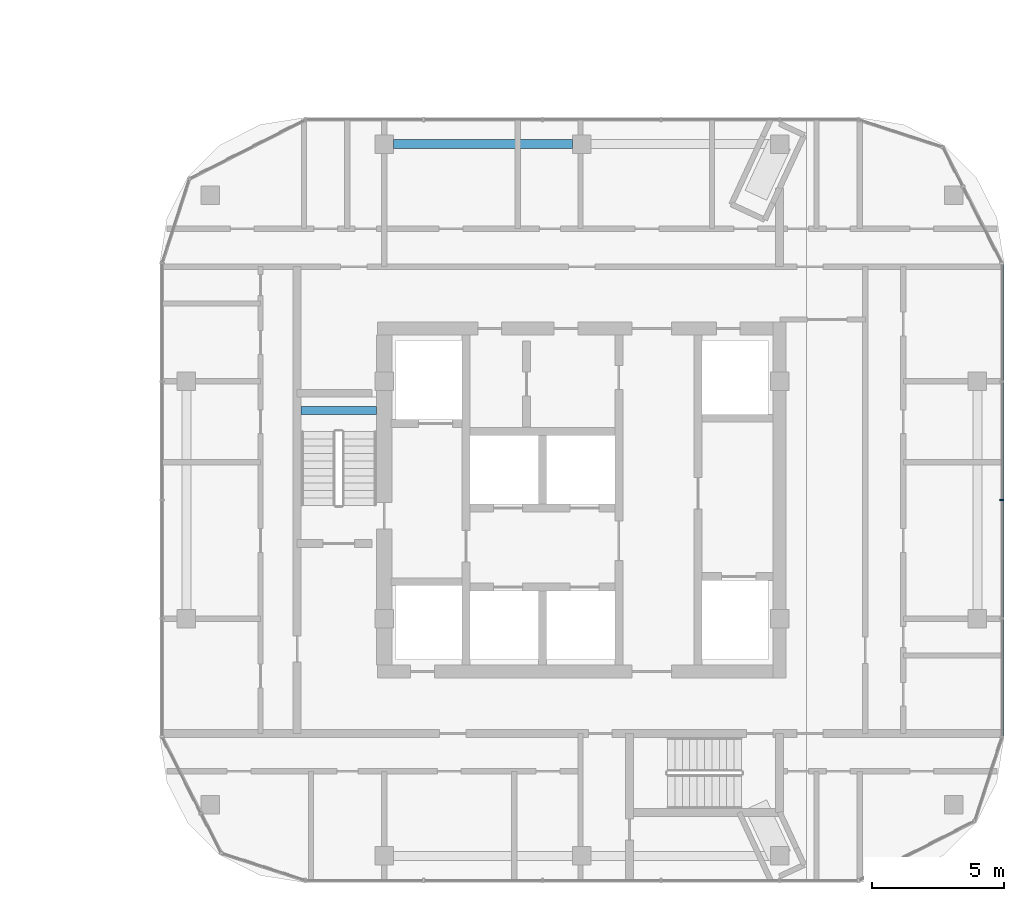
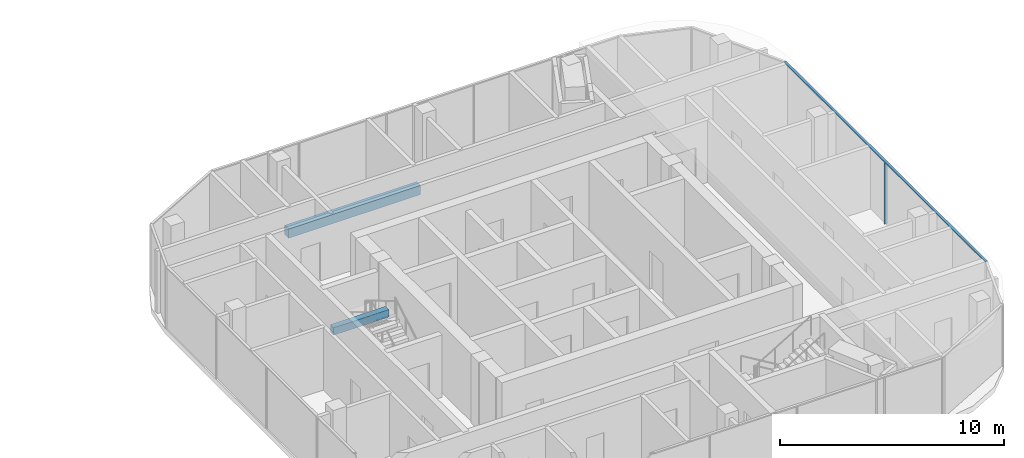
# One storey, part 9 of 35: 2 beams, 2 members, 1 element without a shape of its own.
"""IFC4 building model written with IfcOpenShell, lengths in metres."""

import ifcopenshell
import ifcopenshell.guid

model = None  # the IFC model being written
_history = None  # IfcOwnerHistory: only IFC2X3 demands one
_inside = {}  # id of a spatial element -> (the spatial element, [elements in it])
_under = {}  # id of a project, library or spatial element -> (it, [spatial elements below it])
_declared = {}  # id of a project -> (the project, [libraries it declares])
_typed = {}  # id of a type object -> (the type object, [elements of that type])
_made_of = {}  # id of a material, layer set ... -> (it, [elements and type objects made of it])


def new_model(schema):
    """Start an empty IFC model of exactly this schema.

    Asked for "IFC4X3", IfcOpenShell would pick the latest addendum, in which some entities
    have other attributes; the version numbers below select the first issue.
    IFC2X3 requires an IfcOwnerHistory on every rooted entity: one is made here for all.
    """
    global model, _history
    if schema == "IFC4X3":
        model = ifcopenshell.file(schema_version=(4, 3, 0, 0))
    else:
        model = ifcopenshell.file(schema=schema)
    _inside.clear()
    _under.clear()
    _declared.clear()
    _typed.clear()
    _made_of.clear()
    _history = None
    if model.schema == "IFC2X3":
        org = make("IfcOrganization", Name="unknown")
        user = make(
            "IfcPersonAndOrganization",
            ThePerson=make("IfcPerson", FamilyName="unknown"),
            TheOrganization=org,
        )
        app = make(
            "IfcApplication",
            ApplicationDeveloper=org,
            Version="unknown",
            ApplicationFullName="unknown",
            ApplicationIdentifier="unknown",
        )
        _history = make(
            "IfcOwnerHistory",
            OwningUser=user,
            OwningApplication=app,
            ChangeAction="ADDED",
            CreationDate=0,
        )
    return model


def make(cls, **values):
    """One entity of the class cls with the attributes given. An attribute that is None is left unset."""
    return model.create_entity(
        cls, **{name: value for name, value in values.items() if value is not None}
    )


def rooted(cls, **values):
    """An entity with a GlobalId (a new one), such as an element, a storey or a relation."""
    return make(cls, GlobalId=ifcopenshell.guid.new(), OwnerHistory=_history, **values)


def si_unit(unit_type, name, prefix=None):
    """IfcSIUnit, for example si_unit("LENGTHUNIT", "METRE", prefix="MILLI")."""
    return make("IfcSIUnit", UnitType=unit_type, Prefix=prefix, Name=name)


def assignment(units):
    """IfcUnitAssignment: the units of a project."""
    return None if units is None else make("IfcUnitAssignment", Units=units)


def point(xyz):
    """IfcCartesianPoint."""
    return None if xyz is None else make("IfcCartesianPoint", Coordinates=xyz)


def direction(xyz):
    """IfcDirection."""
    return None if xyz is None else make("IfcDirection", DirectionRatios=xyz)


def frame(location, z_axis=None, x_axis=None):
    """IfcAxis2Placement3D, a coordinate frame: its origin and axes. An axis left out is left unset."""
    return make(
        "IfcAxis2Placement3D",
        Location=point(location),
        Axis=direction(z_axis),
        RefDirection=direction(x_axis),
    )


def frame_2d(location, x_axis=None):
    """IfcAxis2Placement2D, a coordinate frame in the plane: its origin and x axis."""
    return make(
        "IfcAxis2Placement2D", Location=point(location), RefDirection=direction(x_axis)
    )


def origin():
    """The frame at (0, 0, 0) with its axes left unset."""
    return frame((0.0, 0.0, 0.0))


def origin_2d():
    """The frame at (0, 0) in the plane with its x axis left unset."""
    return frame_2d((0.0, 0.0))


def place(relative_to, where):
    """IfcLocalPlacement: puts the frame where relative to a parent placement (None: the world)."""
    return make(
        "IfcLocalPlacement", PlacementRelTo=relative_to, RelativePlacement=where
    )


def context(
    kind, dimensions, precision=None, world=None, true_north=None, identifier=None
):
    """IfcGeometricRepresentationContext, for example the 3D "Model" context."""
    return make(
        "IfcGeometricRepresentationContext",
        ContextIdentifier=identifier,
        ContextType=kind,
        CoordinateSpaceDimension=dimensions,
        Precision=precision,
        WorldCoordinateSystem=world,
        TrueNorth=true_north,
    )


def subcontext(parent, identifier, kind, view, scale=None):
    """IfcGeometricRepresentationSubContext, for example "Body" below "Model"."""
    return make(
        "IfcGeometricRepresentationSubContext",
        ContextIdentifier=identifier,
        ContextType=kind,
        ParentContext=parent,
        TargetScale=scale,
        TargetView=view,
    )


def project(units=None, contexts=None):
    """IfcProject with its units and contexts."""
    return rooted(
        "IfcProject",
        Name="project",
        RepresentationContexts=contexts,
        UnitsInContext=assignment(units),
    )


def spatial(cls, under=None, at=None, **own):
    """A site, building, storey or space (cls), placed at a placement, below another one or the project."""
    s = rooted(cls, ObjectPlacement=at, **own)
    if under is not None:
        _under.setdefault(under.id(), (under, []))[1].append(s)
    return s


def profile(cls, at=None, kind="AREA", **sizes):
    """A parametric profile (cls). Its sizes go by their IFC names, for example OverallWidth=200.0."""
    return make(cls, ProfileType=kind, Position=at, **sizes)


def rectangle(**sizes):
    """IfcRectangleProfileDef."""
    return profile("IfcRectangleProfileDef", **sizes)


def extrude(swept, where, along, depth):
    """IfcExtrudedAreaSolid: the profile swept, set in the frame where, extruded along a direction by depth."""
    return make(
        "IfcExtrudedAreaSolid",
        SweptArea=swept,
        Position=where,
        ExtrudedDirection=direction(along),
        Depth=depth,
    )


def shape(context_of_items, identifier, shape_type, items):
    """IfcShapeRepresentation: the items that make up one representation, for example the "Body"."""
    return make(
        "IfcShapeRepresentation",
        ContextOfItems=context_of_items,
        RepresentationIdentifier=identifier,
        RepresentationType=shape_type,
        Items=items,
    )


def material(Name=None, Category=None):
    """IfcMaterial."""
    return make("IfcMaterial", Name=Name, Category=Category)


def material_profile(
    of_material, cross_section, Name=None, Category=None, Priority=None
):
    """IfcMaterialProfile: a cross section and its material."""
    return make(
        "IfcMaterialProfile",
        Name=Name,
        Material=of_material,
        Profile=cross_section,
        Priority=Priority,
        Category=Category,
    )


def profile_set(profiles, Name=None, composite=None):
    """IfcMaterialProfileSet."""
    return make(
        "IfcMaterialProfileSet",
        Name=Name,
        MaterialProfiles=profiles,
        CompositeProfile=composite,
    )


def made_of(thing, what):
    """Note that an element or type object is made of a material, layer set ...; save() writes the relation."""
    if what is not None:
        _made_of.setdefault(what.id(), (what, []))[1].append(thing)
    return thing


def type_object(cls, material=None, **own):
    """A type object (cls), such as IfcWallType, which elements share."""
    return made_of(rooted(cls, **own), material)


def element(
    cls,
    number,
    at=None,
    inside=None,
    cuts=None,
    type_object=None,
    material=None,
    context=None,
    identifier="Body",
    shape_type=None,
    held_by="IfcProductDefinitionShape",
    body=None,
    shapes=None,
    **own,
):
    """One element of the class cls, such as IfcWall. Its Tag is "e" and its number.

    at: its placement. inside: the storey or other place that contains it. cuts: it is an
    opening in that element (IfcRelVoidsElement). A single representation is given by context,
    identifier, shape_type and body (its items); several are given by shapes. held_by: the class
    of the entity that holds the representations. save() writes the other relations.
    """
    e = rooted(cls, Tag="e%d" % number, ObjectPlacement=at, **own)
    if body is not None:
        shapes = [shape(context, identifier, shape_type, body)]
    if shapes is not None:
        e.Representation = make(held_by, Representations=shapes)
    if inside is not None:
        _inside.setdefault(inside.id(), (inside, []))[1].append(e)
    if cuts is not None:
        rooted(
            "IfcRelVoidsElement", RelatingBuildingElement=cuts, RelatedOpeningElement=e
        )
    if type_object is not None:
        _typed.setdefault(type_object.id(), (type_object, []))[1].append(e)
    return made_of(e, material)


def aggregate(whole, parts):
    """IfcRelAggregates: a whole, such as a stair, and the parts it consists of."""
    return rooted("IfcRelAggregates", RelatingObject=whole, RelatedObjects=parts)


def save(model, path):
    """Write the relations noted so far, then the file.

    IfcRelAggregates (storeys below a building ...), IfcRelContainedInSpatialStructure (elements
    in a storey), IfcRelDefinesByType, IfcRelAssociatesMaterial and IfcRelDeclares: one each for
    every whole, place, type object, material and project.
    """
    for whole, parts in _under.values():
        aggregate(whole, parts)
    for where, things in _inside.values():
        rooted(
            "IfcRelContainedInSpatialStructure",
            RelatedElements=things,
            RelatingStructure=where,
        )
    for kind, things in _typed.values():
        rooted("IfcRelDefinesByType", RelatedObjects=things, RelatingType=kind)
    for what, things in _made_of.values():
        rooted("IfcRelAssociatesMaterial", RelatedObjects=things, RelatingMaterial=what)
    for by, libraries in _declared.values():
        rooted("IfcRelDeclares", RelatingContext=by, RelatedDefinitions=libraries)
    model.write(path)


model = new_model("IFC4")

# Units and contexts
model_context = context("Model", 3, precision=1e-05, world=origin(), true_north=direction((0.0, 1.0)))
body_context = subcontext(model_context, "Body", "Model", "MODEL_VIEW")
ifc_project = project(units=[si_unit("LENGTHUNIT", "METRE"), si_unit("AREAUNIT", "SQUARE_METRE"), si_unit("VOLUMEUNIT", "CUBIC_METRE"), si_unit("PLANEANGLEUNIT", "RADIAN"), si_unit("MASSUNIT", "GRAM", prefix="KILO")], contexts=[model_context])

# Site, building, storey
site_placement = place(None, origin())
site = spatial("IfcSite", under=ifc_project, at=site_placement, CompositionType="ELEMENT")
building_placement = place(site_placement, origin())
building = spatial("IfcBuilding", under=site, at=building_placement, Name="Ogive Portal Towers", CompositionType="ELEMENT")
storey_placement = place(building_placement, frame((0.0, 0.0, 90.800048828125)))
storey = spatial("IfcBuildingStorey", under=building, at=storey_placement, Name="L21", CompositionType="ELEMENT", Elevation=90.800048828125)

# Beam
ifc_material_1 = material(Name="Concrete C40/50", Category="concrete")
ifc_material_profile_1 = material_profile(ifc_material_1, rectangle(XDim=0.300048828125, YDim=0.39990234375, at=origin_2d()), Name="RC 300x400")
ifc_profile_set_1 = profile_set([ifc_material_profile_1], Name="Concrete C40/50")
beam_type_1 = type_object("IfcBeamType", Name="BEAM RC 300x400", PredefinedType="BEAM", material=ifc_profile_set_1)
beam_1_placement = place(storey_placement, frame((125.85009765625, 34.39990234375, 1.449951171875), z_axis=(1.0, 0.0, 0.0), x_axis=(0.0, 1.0, 0.0)))
element("IfcBeam", 1, at=beam_1_placement, inside=storey, type_object=beam_type_1, Name="Landing beam L21", PredefinedType="BEAM", context=body_context, shape_type="SweptSolid", body=[
    extrude(rectangle(XDim=0.300048828125, YDim=0.39990234375, at=origin_2d()), origin(), (0.0, 0.0, 1.0), 2.849853515625),
])

# Curtain wall, members
ifc_material_2 = material(Name="Glass, clear low-iron insulated glazing", Category="glass")
curtain_wall_type = type_object("IfcCurtainWallType", Name="CW RESIDENCES RIBBON", PredefinedType="NOTDEFINED", material=ifc_material_2)
curtain_wall_placement = place(storey_placement, origin())
curtain_wall = element("IfcCurtainWall", 2, at=curtain_wall_placement, inside=storey, type_object=curtain_wall_type, Name="B:L21:f05:cw0", PredefinedType="NOTDEFINED")
ifc_material_3 = material(Name="Aluminium 6063 anodised", Category="aluminium")
ifc_material_profile_2 = material_profile(ifc_material_3, rectangle(XDim=0.159912109375, YDim=0.06005859375, at=origin_2d()), Name="AL 60x160")
ifc_profile_set_2 = profile_set([ifc_material_profile_2], Name="Aluminium 6063 anodised")
member_type_1 = type_object("IfcMemberType", Name="CW MULLION 60x160", PredefinedType="MULLION", material=ifc_profile_set_2)
member_1_placement = place(storey_placement, frame((152.429931640625, 31.0, 0.0), z_axis=(0.0, 0.0, 1.0), x_axis=(-1.0, 0.0, 0.0)))
member_1 = element("IfcMember", 3, at=member_1_placement, type_object=member_type_1, Name="mullion", PredefinedType="MULLION", context=body_context, shape_type="SweptSolid", body=[
    extrude(rectangle(XDim=0.159912109375, YDim=0.06005859375, at=origin_2d()), origin(), (0.0, 0.0, 1.0), 3.33984375),
])
ifc_material_profile_3 = material_profile(ifc_material_3, rectangle(XDim=0.1201171875, YDim=0.06005859375, at=origin_2d()), Name="AL 120x60")
ifc_profile_set_3 = profile_set([ifc_material_profile_3], Name="Aluminium 6063 anodised")
member_type_2 = type_object("IfcMemberType", Name="CW TRANSOM 60x120", PredefinedType="USERDEFINED", material=ifc_profile_set_3)
member_2_placement = place(storey_placement, frame((152.429931640625, 22.0126953125, 3.369873046875), z_axis=(0.0, 1.0, 0.0), x_axis=(-1.0, 0.0, 0.0)))
member_2 = element("IfcMember", 4, at=member_2_placement, type_object=member_type_2, Name="transom", ObjectType="TRANSOM", PredefinedType="USERDEFINED", context=body_context, shape_type="SweptSolid", body=[
    extrude(rectangle(XDim=0.1201171875, YDim=0.06005859375, at=origin_2d()), origin(), (0.0, 0.0, 1.0), 17.968017578125),
])
aggregate(curtain_wall, [member_2, member_1])

# Beam
ifc_material_4 = material(Name="Concrete C50/60", Category="concrete")
ifc_material_profile_4 = material_profile(ifc_material_4, rectangle(XDim=0.35009765625, YDim=0.5, at=origin_2d()), Name="RC 350x500")
ifc_profile_set_4 = profile_set([ifc_material_profile_4], Name="Concrete C50/60")
beam_type_2 = type_object("IfcBeamType", Name="SPANDREL BEAM RC 350x500", PredefinedType="BEAM", material=ifc_profile_set_4)
beam_2_placement = place(storey_placement, frame((136.14990234375, 44.5, -0.550048828125), z_axis=(-1.0, 0.0, 0.0), x_axis=(0.0, -1.0, 0.0)))
element("IfcBeam", 5, at=beam_2_placement, inside=storey, type_object=beam_type_2, Name="Spandrel beam L21", PredefinedType="BEAM", context=body_context, shape_type="SweptSolid", body=[
    extrude(rectangle(XDim=0.35009765625, YDim=0.5, at=origin_2d()), origin(), (0.0, 0.0, 1.0), 6.7998046875),
])

save(model, "model.ifc")
